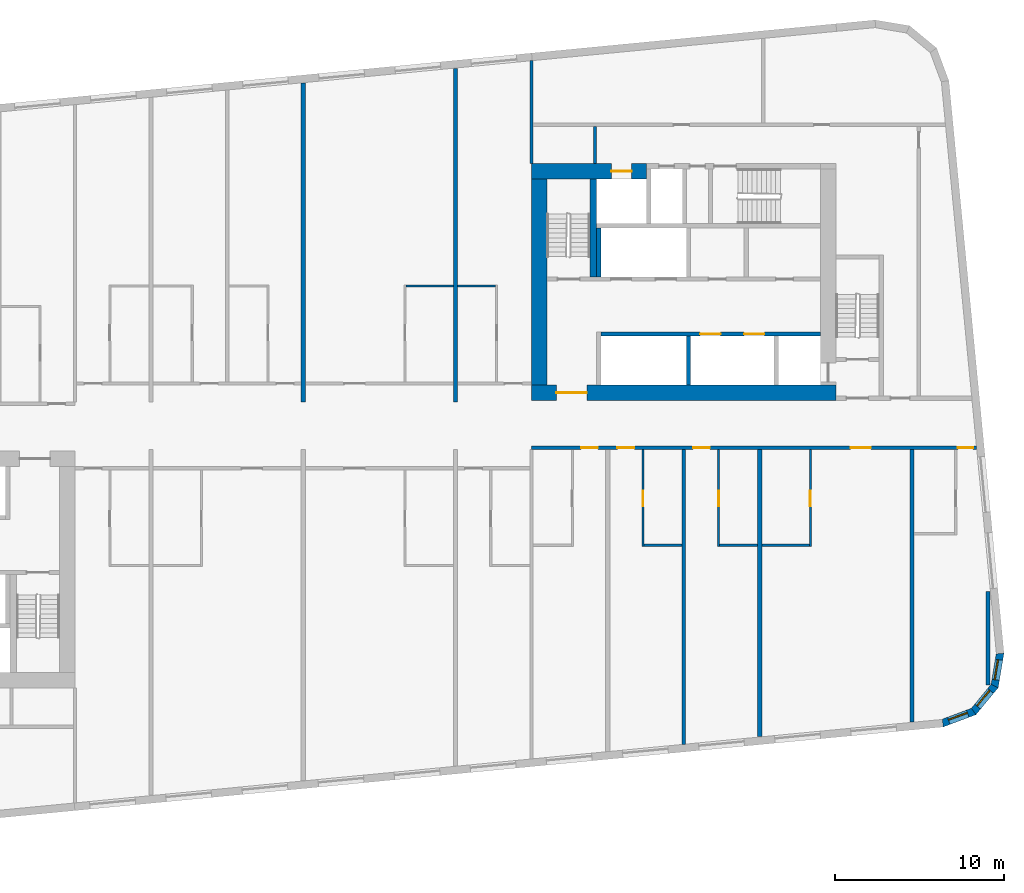
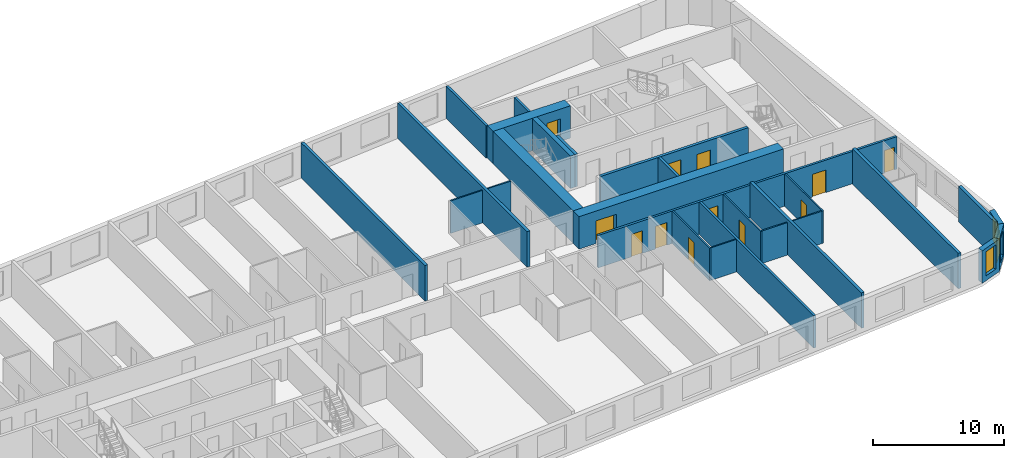
# One storey, part 6 of 12: 27 walls, 12 doors, 3 windows, 15 openings.
"""IFC4 building model written with IfcOpenShell, lengths in metres."""

from ifc_helpers import new_model, si_unit, direction, frame, frame_2d, origin, place, context, subcontext, project, spatial, polyline, rectangle, outline, extrude, material, layer, layer_set, type_object, element, fill, save


model = new_model("IFC4")

# Units and contexts
model_context = context("Model", 3, precision=1e-05, world=origin(), true_north=direction((0.0, 1.0)))
body_context = subcontext(model_context, "Body", "Model", "MODEL_VIEW")
ifc_project = project(units=[si_unit("LENGTHUNIT", "METRE"), si_unit("AREAUNIT", "SQUARE_METRE"), si_unit("VOLUMEUNIT", "CUBIC_METRE"), si_unit("PLANEANGLEUNIT", "RADIAN"), si_unit("MASSUNIT", "GRAM", prefix="KILO")], contexts=[model_context])

# Site, building, storey
site_placement = place(None, origin())
site = spatial("IfcSite", under=ifc_project, at=site_placement, CompositionType="ELEMENT")
building_placement = place(site_placement, origin())
building = spatial("IfcBuilding", under=site, at=building_placement, Name="Kajstack Hotel Tower", CompositionType="ELEMENT")
storey_placement = place(building_placement, frame((0.0, 0.0, 170.199951171875)))
storey = spatial("IfcBuildingStorey", under=building, at=storey_placement, Name="L39", CompositionType="ELEMENT", Elevation=170.199951171875)

# Wall, opening, door
ifc_material_1 = material(Name="Concrete C60/75", Category="concrete")
ifc_layer_1 = layer(ifc_material_1, 0.89990234375)
ifc_layer_set_1 = layer_set([ifc_layer_1], Name="Core wall 900")
wall_type_1 = type_object("IfcWallType", Name="Core wall 900", PredefinedType="SHEAR", material=ifc_layer_set_1)
wall_1_placement = place(storey_placement, frame((13.5, 1.949951171875, 0.0), z_axis=(0.0, 0.0, 1.0), x_axis=(1.0, 0.0, 0.0)))
wall_1 = element("IfcWall", 1, at=wall_1_placement, inside=storey, type_object=wall_type_1, Name="Core wall E RN", PredefinedType="SHEAR", context=body_context, shape_type="SweptSolid", body=[
    extrude(rectangle(XDim=18.0, YDim=0.89990234375, at=frame_2d((9.0, 0.0))), origin(), (0.0, 0.0, 1.0), 3.02001953125),
])
opening_1_placement = place(wall_1_placement, frame((1.47509765625, 0.0, 0.0)))
opening_1 = element("IfcOpeningElement", 2, at=opening_1_placement, cuts=wall_1, Name="Opening 39E07", PredefinedType="OPENING", context=body_context, shape_type="SweptSolid", body=[
    extrude(rectangle(XDim=1.800048828125, YDim=2.10009765625, at=frame_2d((0.89990234375, 1.050048828125))), frame((0.0, 0.4599609375, 0.0), z_axis=(0.0, -1.0, 0.0), x_axis=(1.0, 0.0, 0.0)), (0.0, 0.0, 1.0), 0.919921875),
])
ifc_material_2 = material(Name="Glazed steel frame, fire-rated glass", Category="steel")
door_type_1 = type_object("IfcDoorType", Name="Lobby double door 1800", OperationType="DOUBLE_DOOR_DOUBLE_SWING", PredefinedType="DOOR", material=ifc_material_2)
door_1_placement = place(opening_1_placement, origin())
door_1 = element("IfcDoor", 3, at=door_1_placement, inside=storey, type_object=door_type_1, Name="Door 39E07", OperationType="DOUBLE_DOOR_DOUBLE_SWING", OverallHeight=2.10009765625, OverallWidth=1.800048828125, PredefinedType="DOOR", context=body_context, shape_type="SweptSolid", body=[
    extrude(rectangle(XDim=1.800048828125, YDim=2.10009765625, at=frame_2d((0.89990234375, 1.050048828125))), frame((0.0, 0.02490234375, 0.0), z_axis=(0.0, -1.0, 0.0), x_axis=(1.0, 0.0, 0.0)), (0.0, 0.0, 1.0), 0.050048828125),
])
fill(opening_1, door_1)

wall_2_placement = place(storey_placement, frame((13.5, 15.050048828125, 0.0), z_axis=(0.0, 0.0, 1.0), x_axis=(1.0, 0.0, 0.0)))
wall_2 = element("IfcWall", 4, at=wall_2_placement, inside=storey, type_object=wall_type_1, Name="Core wall E RS", PredefinedType="SHEAR", context=body_context, shape_type="SweptSolid", body=[
    extrude(rectangle(XDim=6.800048828125, YDim=0.89990234375, at=frame_2d((3.39990234375, 0.0))), origin(), (0.0, 0.0, 1.0), 3.02001953125),
])
opening_2_placement = place(wall_2_placement, frame((4.72509765625, 0.0, 0.0)))
opening_2 = element("IfcOpeningElement", 5, at=opening_2_placement, cuts=wall_2, Name="Opening LD-SV2", PredefinedType="OPENING", context=body_context, shape_type="SweptSolid", body=[
    extrude(rectangle(XDim=1.199951171875, YDim=2.10009765625, at=frame_2d((0.60009765625, 1.050048828125))), frame((0.0, 0.4599609375, 0.0), z_axis=(0.0, -1.0, 0.0), x_axis=(1.0, 0.0, 0.0)), (0.0, 0.0, 1.0), 0.919921875),
])
ifc_material_3 = material(Name="Stainless steel", Category="steel")
door_type_2 = type_object("IfcDoorType", Name="Lift landing door 1200", OperationType="SLIDING_TO_LEFT", PredefinedType="DOOR", material=ifc_material_3)
door_2_placement = place(opening_2_placement, origin())
door_2 = element("IfcDoor", 6, at=door_2_placement, inside=storey, type_object=door_type_2, Name="Landing door SV2", OperationType="SLIDING_TO_LEFT", OverallHeight=2.10009765625, OverallWidth=1.199951171875, PredefinedType="DOOR", context=body_context, shape_type="SweptSolid", body=[
    extrude(rectangle(XDim=1.199951171875, YDim=2.10009765625, at=frame_2d((0.60009765625, 1.050048828125))), frame((0.0, 0.02490234375, 0.0), z_axis=(0.0, -1.0, 0.0), x_axis=(1.0, 0.0, 0.0)), (0.0, 0.0, 1.0), 0.050048828125),
])
fill(opening_2, door_2)

# Wall
wall_3_placement = place(storey_placement, frame((13.949951171875, 2.39990234375, 0.0), z_axis=(0.0, 0.0, 1.0), x_axis=(0.0, 1.0, 0.0)))
element("IfcWall", 7, at=wall_3_placement, inside=storey, type_object=wall_type_1, Name="Core wall E RE", PredefinedType="SHEAR", context=body_context, shape_type="SweptSolid", body=[
    extrude(rectangle(XDim=12.2001953125, YDim=0.89990234375, at=frame_2d((6.10009765625, 0.0))), origin(), (0.0, 0.0, 1.0), 3.02001953125),
])

# Wall, openings, doors
ifc_material_4 = material(Name="Gypsum board on steel studs, mineral wool", Category="steel")
ifc_layer_2 = layer(ifc_material_4, 0.199951171875)
ifc_layer_set_2 = layer_set([ifc_layer_2], Name="Corridor wall 200")
wall_type_2 = type_object("IfcWallType", Name="Corridor wall 200", PredefinedType="PARTITIONING", material=ifc_layer_set_2)
wall_4_placement = place(storey_placement, frame((13.5, -1.300048828125, 0.0), z_axis=(0.0, 0.0, 1.0), x_axis=(1.0, 0.0, 0.0)))
wall_4 = element("IfcWall", 8, at=wall_4_placement, inside=storey, type_object=wall_type_2, Name="G-wall-L39-032", PredefinedType="PARTITIONING", context=body_context, shape_type="SweptSolid", body=[
    extrude(rectangle(XDim=26.31689453125, YDim=0.199951171875, at=frame_2d((13.158447265625, 0.0))), origin(), (0.0, 0.0, 1.0), 3.02001953125),
])
opening_3_placement = place(wall_4_placement, frame((2.925048828125, 0.0, 0.0)))
opening_3 = element("IfcOpeningElement", 9, at=opening_3_placement, cuts=wall_4, Name="Opening 39031", PredefinedType="OPENING", context=body_context, shape_type="SweptSolid", body=[
    extrude(rectangle(XDim=1.0, YDim=2.10009765625, at=frame_2d((0.5, 1.050048828125))), frame((0.0, 0.10986328125, 0.0), z_axis=(0.0, -1.0, 0.0), x_axis=(1.0, 0.0, 0.0)), (0.0, 0.0, 1.0), 0.219970703125),
])
opening_4_placement = place(wall_4_placement, frame((5.074951171875, 0.0, 0.0)))
opening_4 = element("IfcOpeningElement", 10, at=opening_4_placement, cuts=wall_4, Name="Opening 39033", PredefinedType="OPENING", context=body_context, shape_type="SweptSolid", body=[
    extrude(rectangle(XDim=1.0, YDim=2.10009765625, at=frame_2d((0.5, 1.050048828125))), frame((0.0, 0.10986328125, 0.0), z_axis=(0.0, -1.0, 0.0), x_axis=(1.0, 0.0, 0.0)), (0.0, 0.0, 1.0), 0.219970703125),
])
opening_5_placement = place(wall_4_placement, frame((9.550048828125, 0.0, 0.0)))
opening_5 = element("IfcOpeningElement", 11, at=opening_5_placement, cuts=wall_4, Name="Opening 39035", PredefinedType="OPENING", context=body_context, shape_type="SweptSolid", body=[
    extrude(rectangle(XDim=1.0, YDim=2.10009765625, at=frame_2d((0.5, 1.050048828125))), frame((0.0, 0.10986328125, 0.0), z_axis=(0.0, -1.0, 0.0), x_axis=(1.0, 0.0, 0.0)), (0.0, 0.0, 1.0), 0.219970703125),
])
opening_6_placement = place(wall_4_placement, frame((18.862060546875, 0.0, 0.0)))
opening_6 = element("IfcOpeningElement", 12, at=opening_6_placement, cuts=wall_4, Name="Opening 39037", PredefinedType="OPENING", context=body_context, shape_type="SweptSolid", body=[
    extrude(rectangle(XDim=1.199951171875, YDim=2.10009765625, at=frame_2d((0.60009765625, 1.050048828125))), frame((0.0, 0.10986328125, 0.0), z_axis=(0.0, -1.0, 0.0), x_axis=(1.0, 0.0, 0.0)), (0.0, 0.0, 1.0), 0.219970703125),
])
opening_7_placement = place(wall_4_placement, frame((25.2080078125, 0.0, 0.0)))
opening_7 = element("IfcOpeningElement", 13, at=opening_7_placement, cuts=wall_4, Name="Opening 39039", PredefinedType="OPENING", context=body_context, shape_type="SweptSolid", body=[
    extrude(rectangle(XDim=0.89990234375, YDim=2.10009765625, at=frame_2d((0.449951171875, 1.050048828125))), frame((0.0, 0.10986328125, 0.0), z_axis=(0.0, -1.0, 0.0), x_axis=(1.0, 0.0, 0.0)), (0.0, 0.0, 1.0), 0.219970703125),
])
ifc_material_5 = material(Name="Oak veneer on timber core, fire-rated leaf", Category="wood")
door_type_3 = type_object("IfcDoorType", Name="Flat entrance door 1000", OperationType="SINGLE_SWING_LEFT", PredefinedType="DOOR", material=ifc_material_5)
door_3_placement = place(opening_3_placement, origin())
door_3 = element("IfcDoor", 14, at=door_3_placement, inside=storey, type_object=door_type_3, Name="G-door-L39-31", OperationType="SINGLE_SWING_LEFT", OverallHeight=2.10009765625, OverallWidth=1.0, PredefinedType="DOOR", context=body_context, shape_type="SweptSolid", body=[
    extrude(rectangle(XDim=1.0, YDim=2.10009765625, at=frame_2d((0.5, 1.050048828125))), frame((0.0, 0.02490234375, 0.0), z_axis=(0.0, -1.0, 0.0), x_axis=(1.0, 0.0, 0.0)), (0.0, 0.0, 1.0), 0.050048828125),
])
fill(opening_3, door_3)
door_4_placement = place(opening_4_placement, origin())
door_4 = element("IfcDoor", 15, at=door_4_placement, inside=storey, type_object=door_type_3, Name="G-door-L39-33", OperationType="SINGLE_SWING_LEFT", OverallHeight=2.10009765625, OverallWidth=1.0, PredefinedType="DOOR", context=body_context, shape_type="SweptSolid", body=[
    extrude(rectangle(XDim=1.0, YDim=2.10009765625, at=frame_2d((0.5, 1.050048828125))), frame((0.0, 0.02490234375, 0.0), z_axis=(0.0, -1.0, 0.0), x_axis=(1.0, 0.0, 0.0)), (0.0, 0.0, 1.0), 0.050048828125),
])
fill(opening_4, door_4)
door_5_placement = place(opening_5_placement, origin())
door_5 = element("IfcDoor", 16, at=door_5_placement, inside=storey, type_object=door_type_3, Name="G-door-L39-35", OperationType="SINGLE_SWING_LEFT", OverallHeight=2.10009765625, OverallWidth=1.0, PredefinedType="DOOR", context=body_context, shape_type="SweptSolid", body=[
    extrude(rectangle(XDim=1.0, YDim=2.10009765625, at=frame_2d((0.5, 1.050048828125))), frame((0.0, 0.02490234375, 0.0), z_axis=(0.0, -1.0, 0.0), x_axis=(1.0, 0.0, 0.0)), (0.0, 0.0, 1.0), 0.050048828125),
])
fill(opening_5, door_5)
door_type_4 = type_object("IfcDoorType", Name="Flat entrance door 1200", OperationType="SINGLE_SWING_LEFT", PredefinedType="DOOR", material=ifc_material_5)
door_6_placement = place(opening_6_placement, origin())
door_6 = element("IfcDoor", 17, at=door_6_placement, inside=storey, type_object=door_type_4, Name="G-door-L39-37", OperationType="SINGLE_SWING_LEFT", OverallHeight=2.10009765625, OverallWidth=1.199951171875, PredefinedType="DOOR", context=body_context, shape_type="SweptSolid", body=[
    extrude(rectangle(XDim=1.199951171875, YDim=2.10009765625, at=frame_2d((0.60009765625, 1.050048828125))), frame((0.0, 0.02490234375, 0.0), z_axis=(0.0, -1.0, 0.0), x_axis=(1.0, 0.0, 0.0)), (0.0, 0.0, 1.0), 0.050048828125),
])
fill(opening_6, door_6)
ifc_material_6 = material(Name="Painted timber door leaf", Category="wood")
door_type_5 = type_object("IfcDoorType", Name="Room door 900", OperationType="SINGLE_SWING_LEFT", PredefinedType="DOOR", material=ifc_material_6)
door_7_placement = place(opening_7_placement, origin())
door_7 = element("IfcDoor", 18, at=door_7_placement, inside=storey, type_object=door_type_5, Name="G-door-L39-39", OperationType="SINGLE_SWING_LEFT", OverallHeight=2.10009765625, OverallWidth=0.89990234375, PredefinedType="DOOR", context=body_context, shape_type="SweptSolid", body=[
    extrude(rectangle(XDim=0.89990234375, YDim=2.10009765625, at=frame_2d((0.449951171875, 1.050048828125))), frame((0.0, 0.02490234375, 0.0), z_axis=(0.0, -1.0, 0.0), x_axis=(1.0, 0.0, 0.0)), (0.0, 0.0, 1.0), 0.050048828125),
])
fill(opening_7, door_7)

# Walls
ifc_material_7 = material(Name="Twin-frame gypsum board on steel studs, mineral wool", Category="steel")
ifc_layer_3 = layer(ifc_material_7, 0.199951171875)
ifc_layer_set_3 = layer_set([ifc_layer_3], Name="Demising wall 200")
wall_type_3 = type_object("IfcWallType", Name="Demising wall 200", PredefinedType="PARTITIONING", material=ifc_layer_set_3)
wall_5_placement = place(storey_placement, frame((13.5, 15.5, 0.0), z_axis=(0.0, 0.0, 1.0), x_axis=(0.0, 1.0, 0.0)))
element("IfcWall", 19, at=wall_5_placement, inside=storey, type_object=wall_type_3, Name="G-wall-L39-001", PredefinedType="PARTITIONING", context=body_context, shape_type="SweptSolid", body=[
    extrude(rectangle(XDim=6.089111328125, YDim=0.199951171875, at=frame_2d((3.04443359375, 0.0))), origin(), (0.0, 0.0, 1.0), 3.02001953125),
])
wall_6_placement = place(storey_placement, frame((22.5, -18.833984375, 0.0), z_axis=(0.0, 0.0, 1.0), x_axis=(0.0, 1.0, 0.0)))
element("IfcWall", 20, at=wall_6_placement, inside=storey, type_object=wall_type_3, Name="G-wall-L39-044", PredefinedType="PARTITIONING", context=body_context, shape_type="SweptSolid", body=[
    extrude(rectangle(XDim=17.43408203125, YDim=0.199951171875, at=frame_2d((8.717041015625, 0.0))), origin(), (0.0, 0.0, 1.0), 3.02001953125),
])

# Wall, opening, window
ifc_material_8 = material(Name="Terracotta-faced brick masonry", Category="masonry")
ifc_layer_4 = layer(ifc_material_8, 0.449951171875)
ifc_layer_set_4 = layer_set([ifc_layer_4], Name="EW-TERRA")
wall_type_4 = type_object("IfcWallType", Name="EW-TERRA", PredefinedType="SOLIDWALL", material=ifc_layer_set_4)
wall_7_placement = place(storey_placement, frame((37.76123046875, -17.598388671875, 0.0), z_axis=(0.0, 0.0, 1.0), x_axis=(0.936677599948, 0.350192909346, 0.0)))
wall_7 = element("IfcWall", 21, at=wall_7_placement, inside=storey, type_object=wall_type_4, Name="E-wall-L39-05-00", PredefinedType="SOLIDWALL", context=body_context, shape_type="SweptSolid", body=[
    extrude(outline(polyline([(0.0, -0.22509765625), (2.070556640625, -0.224853515625), (1.949951171875, 0.22509765625), (0.12060546875, 0.22509765625), (0.0, -0.22509765625)])), origin(), (0.0, 0.0, 1.0), 3.02001953125),
])
opening_8_placement = place(wall_7_placement, frame((0.435302734375, 0.0, 0.449951171875)))
opening_8 = element("IfcOpeningElement", 22, at=opening_8_placement, cuts=wall_7, Name="Opening W3", PredefinedType="OPENING", context=body_context, shape_type="SweptSolid", body=[
    extrude(rectangle(XDim=1.199951171875, YDim=2.25, at=frame_2d((0.60009765625, 1.125))), frame((0.0, 0.23486328125, 0.0), z_axis=(0.0, -1.0, 0.0), x_axis=(1.0, 0.0, 0.0)), (0.0, 0.0, 1.0), 0.469970703125),
])
ifc_material_9 = material(Name="Timber-aluminium window, triple glazed", Category="wood")
window_type = type_object("IfcWindowType", Name="WG3", PartitioningType="SINGLE_PANEL", PredefinedType="WINDOW", material=ifc_material_9)
window_1_placement = place(opening_8_placement, origin())
window_1 = element("IfcWindow", 23, at=window_1_placement, inside=storey, type_object=window_type, Name="Window W3 L39-05", OverallHeight=2.25, OverallWidth=1.199951171875, PartitioningType="SINGLE_PANEL", PredefinedType="WINDOW", context=body_context, shape_type="SweptSolid", body=[
    extrude(rectangle(XDim=1.199951171875, YDim=2.25, at=frame_2d((0.60009765625, 1.125))), frame((0.0, 0.090087890625, 0.0), z_axis=(0.0, -1.0, 0.0), x_axis=(1.0, 0.0, 0.0)), (0.0, 0.0, 1.0), 0.06005859375),
])
fill(opening_8, window_1)

wall_8_placement = place(storey_placement, frame((39.60595703125, -16.94091796875, 0.0), z_axis=(0.0, 0.0, 1.0), x_axis=(0.636116318187, 0.771593176315, 0.0)))
wall_8 = element("IfcWall", 24, at=wall_8_placement, inside=storey, type_object=wall_type_4, Name="E-wall-L39-06-00", PredefinedType="SOLIDWALL", context=body_context, shape_type="SweptSolid", body=[
    extrude(outline(polyline([(0.0, -0.224853515625), (2.070556640625, -0.224853515625), (1.949951171875, 0.22509765625), (0.12060546875, 0.22509765625), (0.0, -0.224853515625)])), origin(), (0.0, 0.0, 1.0), 3.02001953125),
])
opening_9_placement = place(wall_8_placement, frame((0.435302734375, 0.0, 0.449951171875)))
opening_9 = element("IfcOpeningElement", 25, at=opening_9_placement, cuts=wall_8, Name="Opening W3", PredefinedType="OPENING", context=body_context, shape_type="SweptSolid", body=[
    extrude(rectangle(XDim=1.199951171875, YDim=2.25, at=frame_2d((0.60009765625, 1.125))), frame((0.0, 0.23486328125, 0.0), z_axis=(0.0, -1.0, 0.0), x_axis=(1.0, 0.0, 0.0)), (0.0, 0.0, 1.0), 0.469970703125),
])
window_2_placement = place(opening_9_placement, origin())
window_2 = element("IfcWindow", 26, at=window_2_placement, inside=storey, type_object=window_type, Name="Window W3 L39-06", OverallHeight=2.25, OverallWidth=1.199951171875, PartitioningType="SINGLE_PANEL", PredefinedType="WINDOW", context=body_context, shape_type="SweptSolid", body=[
    extrude(rectangle(XDim=1.199951171875, YDim=2.25, at=frame_2d((0.60009765625, 1.125))), frame((0.0, 0.090087890625, 0.0), z_axis=(0.0, -1.0, 0.0), x_axis=(1.0, 0.0, 0.0)), (0.0, 0.0, 1.0), 0.06005859375),
])
fill(opening_9, window_2)

wall_9_placement = place(storey_placement, frame((40.874755859375, -15.44921875, 0.0), z_axis=(0.0, 0.0, 1.0), x_axis=(0.164953448126, 0.986301353518, 0.0)))
wall_9 = element("IfcWall", 27, at=wall_9_placement, inside=storey, type_object=wall_type_4, Name="E-wall-L39-07-00", PredefinedType="SOLIDWALL", context=body_context, shape_type="SweptSolid", body=[
    extrude(outline(polyline([(0.0, -0.224853515625), (2.070556640625, -0.22509765625), (1.9501953125, 0.224853515625), (0.12060546875, 0.22509765625), (0.0, -0.224853515625)])), origin(), (0.0, 0.0, 1.0), 3.02001953125),
])
opening_10_placement = place(wall_9_placement, frame((0.435302734375, 0.0, 0.449951171875)))
opening_10 = element("IfcOpeningElement", 28, at=opening_10_placement, cuts=wall_9, Name="Opening W3", PredefinedType="OPENING", context=body_context, shape_type="SweptSolid", body=[
    extrude(rectangle(XDim=1.199951171875, YDim=2.25, at=frame_2d((0.60009765625, 1.125))), frame((0.0, 0.23486328125, 0.0), z_axis=(0.0, -1.0, 0.0), x_axis=(1.0, 0.0, 0.0)), (0.0, 0.0, 1.0), 0.469970703125),
])
window_3_placement = place(opening_10_placement, origin())
window_3 = element("IfcWindow", 29, at=window_3_placement, inside=storey, type_object=window_type, Name="Window W3 L39-07", OverallHeight=2.25, OverallWidth=1.199951171875, PartitioningType="SINGLE_PANEL", PredefinedType="WINDOW", context=body_context, shape_type="SweptSolid", body=[
    extrude(rectangle(XDim=1.199951171875, YDim=2.25, at=frame_2d((0.60009765625, 1.125))), frame((0.0, 0.090087890625, 0.0), z_axis=(0.0, -1.0, 0.0), x_axis=(1.0, 0.0, 0.0)), (0.0, 0.0, 1.0), 0.06005859375),
])
fill(opening_10, window_3)

# Walls
ifc_material_10 = material(Name="Gypsum board and tiled backer on steel studs", Category="steel")
ifc_layer_5 = layer(ifc_material_10, 0.125)
ifc_layer_set_5 = layer_set([ifc_layer_5], Name="En-suite wall 125")
wall_type_5 = type_object("IfcWallType", Name="En-suite wall 125", PredefinedType="PARTITIONING", material=ifc_layer_set_5)
wall_10_placement = place(storey_placement, frame((6.074951171875, 8.261962890625, 0.0), z_axis=(0.0, 0.0, 1.0), x_axis=(1.0, 0.0, 0.0)))
element("IfcWall", 30, at=wall_10_placement, inside=storey, type_object=wall_type_5, Name="G-wall-L39-028", PredefinedType="PARTITIONING", context=body_context, shape_type="SweptSolid", body=[
    extrude(rectangle(XDim=2.800048828125, YDim=0.125, at=frame_2d((1.39990234375, 0.0))), origin(), (0.0, 0.0, 1.0), 3.02001953125),
])
wall_11_placement = place(storey_placement, frame((9.125, 8.261962890625, 0.0), z_axis=(0.0, 0.0, 1.0), x_axis=(1.0, 0.0, 0.0)))
element("IfcWall", 31, at=wall_11_placement, inside=storey, type_object=wall_type_5, Name="G-wall-L39-030", PredefinedType="PARTITIONING", context=body_context, shape_type="SweptSolid", body=[
    extrude(rectangle(XDim=2.25, YDim=0.125, at=frame_2d((1.125, 0.0))), origin(), (0.0, 0.0, 1.0), 3.02001953125),
])

# Wall, opening, door
wall_12_placement = place(storey_placement, frame((20.0869140625, -7.125, 0.0), z_axis=(0.0, 0.0, 1.0), x_axis=(0.0, 1.0, 0.0)))
wall_12 = element("IfcWall", 32, at=wall_12_placement, inside=storey, type_object=wall_type_5, Name="G-wall-L39-045", PredefinedType="PARTITIONING", context=body_context, shape_type="SweptSolid", body=[
    extrude(rectangle(XDim=5.72509765625, YDim=0.125, at=frame_2d((2.862548828125, 0.0))), origin(), (0.0, 0.0, 1.0), 3.02001953125),
])
opening_11_placement = place(wall_12_placement, frame((2.375, 0.0, 0.0)))
opening_11 = element("IfcOpeningElement", 33, at=opening_11_placement, cuts=wall_12, Name="Opening 39034", PredefinedType="OPENING", context=body_context, shape_type="SweptSolid", body=[
    extrude(rectangle(XDim=0.89990234375, YDim=2.10009765625, at=frame_2d((0.449951171875, 1.050048828125))), frame((0.0, 0.072509765625, 0.0), z_axis=(0.0, -1.0, 0.0), x_axis=(1.0, 0.0, 0.0)), (0.0, 0.0, 1.0), 0.14501953125),
])
door_8_placement = place(opening_11_placement, origin())
door_8 = element("IfcDoor", 34, at=door_8_placement, inside=storey, type_object=door_type_5, Name="G-door-L39-34", OperationType="SINGLE_SWING_RIGHT", OverallHeight=2.10009765625, OverallWidth=0.89990234375, PredefinedType="DOOR", context=body_context, shape_type="SweptSolid", body=[
    extrude(rectangle(XDim=0.89990234375, YDim=2.10009765625, at=frame_2d((0.449951171875, 1.050048828125))), frame((0.0, 0.02490234375, 0.0), z_axis=(0.0, -1.0, 0.0), x_axis=(1.0, 0.0, 0.0)), (0.0, 0.0, 1.0), 0.050048828125),
])
fill(opening_11, door_8)

# Wall
wall_13_placement = place(storey_placement, frame((20.14990234375, -7.06201171875, 0.0), z_axis=(0.0, 0.0, 1.0), x_axis=(1.0, 0.0, 0.0)))
element("IfcWall", 35, at=wall_13_placement, inside=storey, type_object=wall_type_5, Name="G-wall-L39-046", PredefinedType="PARTITIONING", context=body_context, shape_type="SweptSolid", body=[
    extrude(rectangle(XDim=2.25, YDim=0.125, at=frame_2d((1.125, 0.0))), origin(), (0.0, 0.0, 1.0), 3.02001953125),
])

# Wall, opening, door
wall_14_placement = place(storey_placement, frame((24.56201171875, -7.125, 0.0), z_axis=(0.0, 0.0, 1.0), x_axis=(0.0, 1.0, 0.0)))
wall_14 = element("IfcWall", 36, at=wall_14_placement, inside=storey, type_object=wall_type_5, Name="G-wall-L39-047", PredefinedType="PARTITIONING", context=body_context, shape_type="SweptSolid", body=[
    extrude(rectangle(XDim=5.72509765625, YDim=0.125, at=frame_2d((2.862548828125, 0.0))), origin(), (0.0, 0.0, 1.0), 3.02001953125),
])
opening_12_placement = place(wall_14_placement, frame((2.375, 0.0, 0.0)))
opening_12 = element("IfcOpeningElement", 37, at=opening_12_placement, cuts=wall_14, Name="Opening 39036", PredefinedType="OPENING", context=body_context, shape_type="SweptSolid", body=[
    extrude(rectangle(XDim=0.89990234375, YDim=2.10009765625, at=frame_2d((0.449951171875, 1.050048828125))), frame((0.0, 0.072509765625, 0.0), z_axis=(0.0, -1.0, 0.0), x_axis=(1.0, 0.0, 0.0)), (0.0, 0.0, 1.0), 0.14501953125),
])
door_9_placement = place(opening_12_placement, origin())
door_9 = element("IfcDoor", 38, at=door_9_placement, inside=storey, type_object=door_type_5, Name="G-door-L39-36", OperationType="SINGLE_SWING_LEFT", OverallHeight=2.10009765625, OverallWidth=0.89990234375, PredefinedType="DOOR", context=body_context, shape_type="SweptSolid", body=[
    extrude(rectangle(XDim=0.89990234375, YDim=2.10009765625, at=frame_2d((0.449951171875, 1.050048828125))), frame((0.0, 0.02490234375, 0.0), z_axis=(0.0, -1.0, 0.0), x_axis=(1.0, 0.0, 0.0)), (0.0, 0.0, 1.0), 0.050048828125),
])
fill(opening_12, door_9)

# Wall
wall_15_placement = place(storey_placement, frame((24.625, -7.06201171875, 0.0), z_axis=(0.0, 0.0, 1.0), x_axis=(1.0, 0.0, 0.0)))
element("IfcWall", 39, at=wall_15_placement, inside=storey, type_object=wall_type_5, Name="G-wall-L39-048", PredefinedType="PARTITIONING", context=body_context, shape_type="SweptSolid", body=[
    extrude(rectangle(XDim=2.25, YDim=0.125, at=frame_2d((1.125, 0.0))), origin(), (0.0, 0.0, 1.0), 3.02001953125),
])

# Wall, opening, door
wall_16_placement = place(storey_placement, frame((29.988037109375, -7.125, 0.0), z_axis=(0.0, 0.0, 1.0), x_axis=(0.0, 1.0, 0.0)))
wall_16 = element("IfcWall", 40, at=wall_16_placement, inside=storey, type_object=wall_type_5, Name="G-wall-L39-049", PredefinedType="PARTITIONING", context=body_context, shape_type="SweptSolid", body=[
    extrude(rectangle(XDim=5.72509765625, YDim=0.125, at=frame_2d((2.862548828125, 0.0))), origin(), (0.0, 0.0, 1.0), 3.02001953125),
])
opening_13_placement = place(wall_16_placement, frame((2.375, 0.0, 0.0)))
opening_13 = element("IfcOpeningElement", 41, at=opening_13_placement, cuts=wall_16, Name="Opening 39038", PredefinedType="OPENING", context=body_context, shape_type="SweptSolid", body=[
    extrude(rectangle(XDim=0.89990234375, YDim=2.10009765625, at=frame_2d((0.449951171875, 1.050048828125))), frame((0.0, 0.072509765625, 0.0), z_axis=(0.0, -1.0, 0.0), x_axis=(1.0, 0.0, 0.0)), (0.0, 0.0, 1.0), 0.14501953125),
])
door_10_placement = place(opening_13_placement, origin())
door_10 = element("IfcDoor", 42, at=door_10_placement, inside=storey, type_object=door_type_5, Name="G-door-L39-38", OperationType="SINGLE_SWING_LEFT", OverallHeight=2.10009765625, OverallWidth=0.89990234375, PredefinedType="DOOR", context=body_context, shape_type="SweptSolid", body=[
    extrude(rectangle(XDim=0.89990234375, YDim=2.10009765625, at=frame_2d((0.449951171875, 1.050048828125))), frame((0.0, 0.02490234375, 0.0), z_axis=(0.0, -1.0, 0.0), x_axis=(1.0, 0.0, 0.0)), (0.0, 0.0, 1.0), 0.050048828125),
])
fill(opening_13, door_10)

# Walls
wall_17_placement = place(storey_placement, frame((27.125, -7.06201171875, 0.0), z_axis=(0.0, 0.0, 1.0), x_axis=(1.0, 0.0, 0.0)))
element("IfcWall", 43, at=wall_17_placement, inside=storey, type_object=wall_type_5, Name="G-wall-L39-050", PredefinedType="PARTITIONING", context=body_context, shape_type="SweptSolid", body=[
    extrude(rectangle(XDim=2.800048828125, YDim=0.125, at=frame_2d((1.39990234375, 0.0))), origin(), (0.0, 0.0, 1.0), 3.02001953125),
])
ifc_material_11 = material(Name="Concrete C50/60", Category="concrete")
ifc_layer_6 = layer(ifc_material_11, 0.300048828125)
ifc_layer_set_6 = layer_set([ifc_layer_6], Name="Hoistway divider wall 300")
wall_type_6 = type_object("IfcWallType", Name="Hoistway divider wall 300", PredefinedType="SHEAR", material=ifc_layer_set_6)
wall_18_placement = place(storey_placement, frame((22.77490234375, 2.39990234375, 0.0), z_axis=(0.0, 0.0, 1.0), x_axis=(0.0, 1.0, 0.0)))
element("IfcWall", 44, at=wall_18_placement, inside=storey, type_object=wall_type_6, Name="Core wall E AP2", PredefinedType="SHEAR", context=body_context, shape_type="SweptSolid", body=[
    extrude(rectangle(XDim=2.900146484375, YDim=0.25, at=frame_2d((1.4501953125, 0.0))), origin(), (0.0, 0.0, 1.0), 3.02001953125),
])
ifc_layer_7 = layer(ifc_material_11, 0.25)
ifc_layer_set_7 = layer_set([ifc_layer_7], Name="RC cross wall 250 C50/60")
wall_type_7 = type_object("IfcWallType", Name="RC cross wall 250 C50/60", PredefinedType="SHEAR", material=ifc_layer_set_7)
wall_19_placement = place(storey_placement, frame((0.0, 1.39990234375, 0.0), z_axis=(0.0, 0.0, 1.0), x_axis=(0.0, 1.0, 0.0)))
element("IfcWall", 45, at=wall_19_placement, inside=storey, type_object=wall_type_7, Name="S-wall-L39-07", PredefinedType="SHEAR", context=body_context, shape_type="SweptSolid", body=[
    extrude(rectangle(XDim=18.867431640625, YDim=0.25, at=frame_2d((9.43359375, 0.0))), origin(), (0.0, 0.0, 1.0), 3.300048828125),
])
wall_20_placement = place(storey_placement, frame((9.0, 1.39990234375, 0.0), z_axis=(0.0, 0.0, 1.0), x_axis=(0.0, 1.0, 0.0)))
element("IfcWall", 46, at=wall_20_placement, inside=storey, type_object=wall_type_7, Name="S-wall-L39-09", PredefinedType="SHEAR", context=body_context, shape_type="SweptSolid", body=[
    extrude(rectangle(XDim=19.734130859375, YDim=0.25, at=frame_2d((9.8671875, 0.0))), origin(), (0.0, 0.0, 1.0), 3.300048828125),
])
wall_21_placement = place(storey_placement, frame((27.0, -18.378662109375, 0.0), z_axis=(0.0, 0.0, 1.0), x_axis=(0.0, 1.0, 0.0)))
element("IfcWall", 47, at=wall_21_placement, inside=storey, type_object=wall_type_7, Name="S-wall-L39-11", PredefinedType="SHEAR", context=body_context, shape_type="SweptSolid", body=[
    extrude(rectangle(XDim=16.978759765625, YDim=0.25, at=frame_2d((8.4892578125, 0.0))), origin(), (0.0, 0.0, 1.0), 3.300048828125),
])
wall_22_placement = place(storey_placement, frame((36.0, -17.51220703125, 0.0), z_axis=(0.0, 0.0, 1.0), x_axis=(0.0, 1.0, 0.0)))
element("IfcWall", 48, at=wall_22_placement, inside=storey, type_object=wall_type_7, Name="S-wall-L39-12", PredefinedType="SHEAR", context=body_context, shape_type="SweptSolid", body=[
    extrude(rectangle(XDim=16.1123046875, YDim=0.25, at=frame_2d((8.05615234375, 0.0))), origin(), (0.0, 0.0, 1.0), 3.300048828125),
])
wall_23_placement = place(storey_placement, frame((40.5, -15.335205078125, 0.0), z_axis=(0.0, 0.0, 1.0), x_axis=(0.0, 1.0, 0.0)))
element("IfcWall", 49, at=wall_23_placement, inside=storey, type_object=wall_type_7, Name="S-wall-L39-13", PredefinedType="SHEAR", context=body_context, shape_type="SweptSolid", body=[
    extrude(rectangle(XDim=5.5380859375, YDim=0.25, at=frame_2d((2.76904296875, 0.0))), origin(), (0.0, 0.0, 1.0), 3.300048828125),
])
ifc_layer_8 = layer(ifc_material_4, 0.199951171875)
ifc_layer_set_8 = layer_set([ifc_layer_8], Name="Service partition 200")
wall_type_8 = type_object("IfcWallType", Name="Service partition 200", PredefinedType="PARTITIONING", material=ifc_layer_set_8)
wall_24_placement = place(storey_placement, frame((17.25, 15.5, 0.0), z_axis=(0.0, 0.0, 1.0), x_axis=(0.0, 1.0, 0.0)))
element("IfcWall", 50, at=wall_24_placement, inside=storey, type_object=wall_type_8, Name="Partition E SCE", PredefinedType="PARTITIONING", context=body_context, shape_type="SweptSolid", body=[
    extrude(rectangle(XDim=2.199951171875, YDim=0.199951171875, at=frame_2d((1.10009765625, 0.0))), origin(), (0.0, 0.0, 1.0), 3.02001953125),
])

# Wall, openings, doors
ifc_layer_9 = layer(ifc_material_11, 0.25)
ifc_layer_set_9 = layer_set([ifc_layer_9], Name="Shaft wall 250")
wall_type_9 = type_object("IfcWallType", Name="Shaft wall 250", PredefinedType="SHEAR", material=ifc_layer_set_9)
wall_25_placement = place(storey_placement, frame((17.60009765625, 5.425048828125, 0.0), z_axis=(0.0, 0.0, 1.0), x_axis=(1.0, 0.0, 0.0)))
wall_25 = element("IfcWall", 51, at=wall_25_placement, inside=storey, type_object=wall_type_9, Name="Core wall E FA", PredefinedType="SHEAR", context=body_context, shape_type="SweptSolid", body=[
    extrude(rectangle(XDim=13.0, YDim=0.25, at=frame_2d((6.5, 0.0))), origin(), (0.0, 0.0, 1.0), 3.02001953125),
])
opening_14_placement = place(wall_25_placement, frame((8.47509765625, 0.0, 0.0)))
opening_14 = element("IfcOpeningElement", 52, at=opening_14_placement, cuts=wall_25, Name="Opening LD-MR7", PredefinedType="OPENING", context=body_context, shape_type="SweptSolid", body=[
    extrude(rectangle(XDim=1.199951171875, YDim=2.10009765625, at=frame_2d((0.60009765625, 1.050048828125))), frame((0.0, 0.135009765625, 0.0), z_axis=(0.0, -1.0, 0.0), x_axis=(1.0, 0.0, 0.0)), (0.0, 0.0, 1.0), 0.27001953125),
])
opening_15_placement = place(wall_25_placement, frame((5.875, 0.0, 0.0)))
opening_15 = element("IfcOpeningElement", 53, at=opening_15_placement, cuts=wall_25, Name="Opening LD-MR8", PredefinedType="OPENING", context=body_context, shape_type="SweptSolid", body=[
    extrude(rectangle(XDim=1.199951171875, YDim=2.10009765625, at=frame_2d((0.60009765625, 1.050048828125))), frame((0.0, 0.135009765625, 0.0), z_axis=(0.0, -1.0, 0.0), x_axis=(1.0, 0.0, 0.0)), (0.0, 0.0, 1.0), 0.27001953125),
])
door_11_placement = place(opening_14_placement, origin())
door_11 = element("IfcDoor", 54, at=door_11_placement, inside=storey, type_object=door_type_2, Name="Landing door MR7", OperationType="SLIDING_TO_LEFT", OverallHeight=2.10009765625, OverallWidth=1.199951171875, PredefinedType="DOOR", context=body_context, shape_type="SweptSolid", body=[
    extrude(rectangle(XDim=1.199951171875, YDim=2.10009765625, at=frame_2d((0.60009765625, 1.050048828125))), frame((0.0, 0.02490234375, 0.0), z_axis=(0.0, -1.0, 0.0), x_axis=(1.0, 0.0, 0.0)), (0.0, 0.0, 1.0), 0.050048828125),
])
fill(opening_14, door_11)
door_12_placement = place(opening_15_placement, origin())
door_12 = element("IfcDoor", 55, at=door_12_placement, inside=storey, type_object=door_type_2, Name="Landing door MR8", OperationType="SLIDING_TO_RIGHT", OverallHeight=2.10009765625, OverallWidth=1.199951171875, PredefinedType="DOOR", context=body_context, shape_type="SweptSolid", body=[
    extrude(rectangle(XDim=1.199951171875, YDim=2.10009765625, at=frame_2d((0.60009765625, 1.050048828125))), frame((0.0, 0.02490234375, 0.0), z_axis=(0.0, -1.0, 0.0), x_axis=(1.0, 0.0, 0.0)), (0.0, 0.0, 1.0), 0.050048828125),
])
fill(opening_15, door_12)

# Walls
wall_26_placement = place(storey_placement, frame((17.47509765625, 8.800048828125, 0.0), z_axis=(0.0, 0.0, 1.0), x_axis=(0.0, 1.0, 0.0)))
element("IfcWall", 56, at=wall_26_placement, inside=storey, type_object=wall_type_9, Name="Core wall E BE", PredefinedType="SHEAR", context=body_context, shape_type="SweptSolid", body=[
    extrude(rectangle(XDim=2.89990234375, YDim=0.25, at=frame_2d((1.449951171875, 0.0))), origin(), (0.0, 0.0, 1.0), 3.02001953125),
])
ifc_layer_10 = layer(ifc_material_11, 0.39990234375)
ifc_layer_set_10 = layer_set([ifc_layer_10], Name="Stair wall 400")
wall_type_10 = type_object("IfcWallType", Name="Stair wall 400", PredefinedType="SHEAR", material=ifc_layer_set_10)
wall_27_placement = place(storey_placement, frame((17.14990234375, 8.800048828125, 0.0), z_axis=(0.0, 0.0, 1.0), x_axis=(0.0, 1.0, 0.0)))
element("IfcWall", 57, at=wall_27_placement, inside=storey, type_object=wall_type_10, Name="Core wall E WW2", PredefinedType="SHEAR", context=body_context, shape_type="SweptSolid", body=[
    extrude(rectangle(XDim=5.800048828125, YDim=0.39990234375, at=frame_2d((2.89990234375, 0.0))), origin(), (0.0, 0.0, 1.0), 3.02001953125),
])

save(model, "model.ifc")
